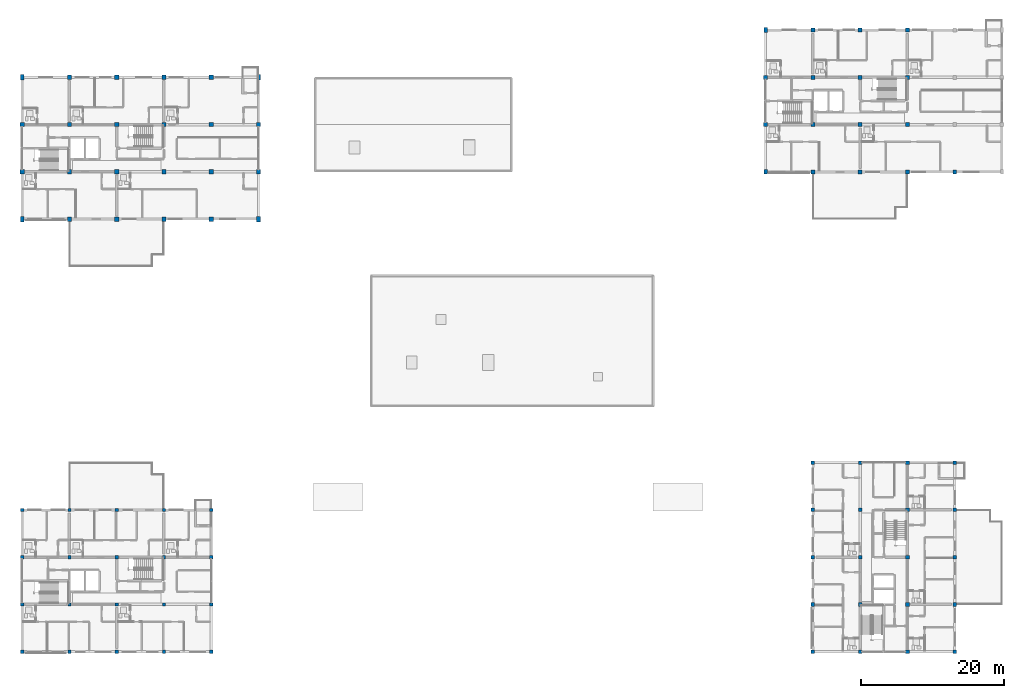
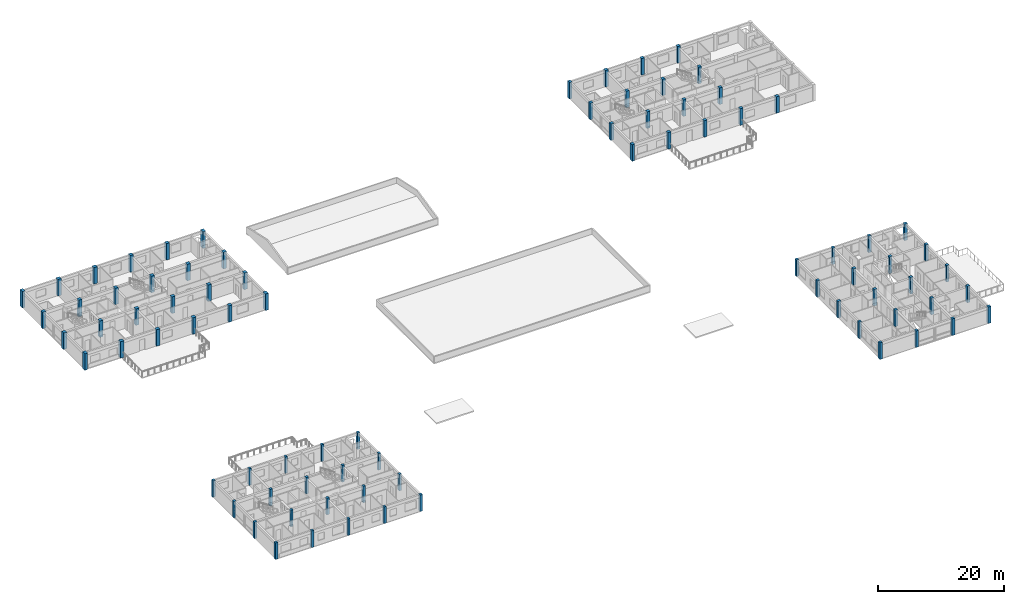
# One storey, part 1 of 51: 81 columns.
"""IFC4 building model written with IfcOpenShell, lengths in metres."""

import ifcopenshell
import ifcopenshell.guid

model = None  # the IFC model being written
_history = None  # IfcOwnerHistory: only IFC2X3 demands one
_inside = {}  # id of a spatial element -> (the spatial element, [elements in it])
_under = {}  # id of a project, library or spatial element -> (it, [spatial elements below it])
_declared = {}  # id of a project -> (the project, [libraries it declares])
_typed = {}  # id of a type object -> (the type object, [elements of that type])
_made_of = {}  # id of a material, layer set ... -> (it, [elements and type objects made of it])


def new_model(schema):
    """Start an empty IFC model of exactly this schema.

    Asked for "IFC4X3", IfcOpenShell would pick the latest addendum, in which some entities
    have other attributes; the version numbers below select the first issue.
    IFC2X3 requires an IfcOwnerHistory on every rooted entity: one is made here for all.
    """
    global model, _history
    if schema == "IFC4X3":
        model = ifcopenshell.file(schema_version=(4, 3, 0, 0))
    else:
        model = ifcopenshell.file(schema=schema)
    _inside.clear()
    _under.clear()
    _declared.clear()
    _typed.clear()
    _made_of.clear()
    _history = None
    if model.schema == "IFC2X3":
        org = make("IfcOrganization", Name="unknown")
        user = make(
            "IfcPersonAndOrganization",
            ThePerson=make("IfcPerson", FamilyName="unknown"),
            TheOrganization=org,
        )
        app = make(
            "IfcApplication",
            ApplicationDeveloper=org,
            Version="unknown",
            ApplicationFullName="unknown",
            ApplicationIdentifier="unknown",
        )
        _history = make(
            "IfcOwnerHistory",
            OwningUser=user,
            OwningApplication=app,
            ChangeAction="ADDED",
            CreationDate=0,
        )
    return model


def make(cls, **values):
    """One entity of the class cls with the attributes given. An attribute that is None is left unset."""
    return model.create_entity(
        cls, **{name: value for name, value in values.items() if value is not None}
    )


def rooted(cls, **values):
    """An entity with a GlobalId (a new one), such as an element, a storey or a relation."""
    return make(cls, GlobalId=ifcopenshell.guid.new(), OwnerHistory=_history, **values)


def si_unit(unit_type, name, prefix=None):
    """IfcSIUnit, for example si_unit("LENGTHUNIT", "METRE", prefix="MILLI")."""
    return make("IfcSIUnit", UnitType=unit_type, Prefix=prefix, Name=name)


def assignment(units):
    """IfcUnitAssignment: the units of a project."""
    return None if units is None else make("IfcUnitAssignment", Units=units)


def point(xyz):
    """IfcCartesianPoint."""
    return None if xyz is None else make("IfcCartesianPoint", Coordinates=xyz)


def direction(xyz):
    """IfcDirection."""
    return None if xyz is None else make("IfcDirection", DirectionRatios=xyz)


def frame(location, z_axis=None, x_axis=None):
    """IfcAxis2Placement3D, a coordinate frame: its origin and axes. An axis left out is left unset."""
    return make(
        "IfcAxis2Placement3D",
        Location=point(location),
        Axis=direction(z_axis),
        RefDirection=direction(x_axis),
    )


def frame_2d(location, x_axis=None):
    """IfcAxis2Placement2D, a coordinate frame in the plane: its origin and x axis."""
    return make(
        "IfcAxis2Placement2D", Location=point(location), RefDirection=direction(x_axis)
    )


def origin():
    """The frame at (0, 0, 0) with its axes left unset."""
    return frame((0.0, 0.0, 0.0))


def origin_2d():
    """The frame at (0, 0) in the plane with its x axis left unset."""
    return frame_2d((0.0, 0.0))


def place(relative_to, where):
    """IfcLocalPlacement: puts the frame where relative to a parent placement (None: the world)."""
    return make(
        "IfcLocalPlacement", PlacementRelTo=relative_to, RelativePlacement=where
    )


def context(
    kind, dimensions, precision=None, world=None, true_north=None, identifier=None
):
    """IfcGeometricRepresentationContext, for example the 3D "Model" context."""
    return make(
        "IfcGeometricRepresentationContext",
        ContextIdentifier=identifier,
        ContextType=kind,
        CoordinateSpaceDimension=dimensions,
        Precision=precision,
        WorldCoordinateSystem=world,
        TrueNorth=true_north,
    )


def subcontext(parent, identifier, kind, view, scale=None):
    """IfcGeometricRepresentationSubContext, for example "Body" below "Model"."""
    return make(
        "IfcGeometricRepresentationSubContext",
        ContextIdentifier=identifier,
        ContextType=kind,
        ParentContext=parent,
        TargetScale=scale,
        TargetView=view,
    )


def project(units=None, contexts=None):
    """IfcProject with its units and contexts."""
    return rooted(
        "IfcProject",
        Name="project",
        RepresentationContexts=contexts,
        UnitsInContext=assignment(units),
    )


def spatial(cls, under=None, at=None, **own):
    """A site, building, storey or space (cls), placed at a placement, below another one or the project."""
    s = rooted(cls, ObjectPlacement=at, **own)
    if under is not None:
        _under.setdefault(under.id(), (under, []))[1].append(s)
    return s


def profile(cls, at=None, kind="AREA", **sizes):
    """A parametric profile (cls). Its sizes go by their IFC names, for example OverallWidth=200.0."""
    return make(cls, ProfileType=kind, Position=at, **sizes)


def rectangle(**sizes):
    """IfcRectangleProfileDef."""
    return profile("IfcRectangleProfileDef", **sizes)


def extrude(swept, where, along, depth):
    """IfcExtrudedAreaSolid: the profile swept, set in the frame where, extruded along a direction by depth."""
    return make(
        "IfcExtrudedAreaSolid",
        SweptArea=swept,
        Position=where,
        ExtrudedDirection=direction(along),
        Depth=depth,
    )


def shape(context_of_items, identifier, shape_type, items):
    """IfcShapeRepresentation: the items that make up one representation, for example the "Body"."""
    return make(
        "IfcShapeRepresentation",
        ContextOfItems=context_of_items,
        RepresentationIdentifier=identifier,
        RepresentationType=shape_type,
        Items=items,
    )


def material(Name=None, Category=None):
    """IfcMaterial."""
    return make("IfcMaterial", Name=Name, Category=Category)


def material_profile(
    of_material, cross_section, Name=None, Category=None, Priority=None
):
    """IfcMaterialProfile: a cross section and its material."""
    return make(
        "IfcMaterialProfile",
        Name=Name,
        Material=of_material,
        Profile=cross_section,
        Priority=Priority,
        Category=Category,
    )


def profile_set(profiles, Name=None, composite=None):
    """IfcMaterialProfileSet."""
    return make(
        "IfcMaterialProfileSet",
        Name=Name,
        MaterialProfiles=profiles,
        CompositeProfile=composite,
    )


def made_of(thing, what):
    """Note that an element or type object is made of a material, layer set ...; save() writes the relation."""
    if what is not None:
        _made_of.setdefault(what.id(), (what, []))[1].append(thing)
    return thing


def type_object(cls, material=None, **own):
    """A type object (cls), such as IfcWallType, which elements share."""
    return made_of(rooted(cls, **own), material)


def element(
    cls,
    number,
    at=None,
    inside=None,
    cuts=None,
    type_object=None,
    material=None,
    context=None,
    identifier="Body",
    shape_type=None,
    held_by="IfcProductDefinitionShape",
    body=None,
    shapes=None,
    **own,
):
    """One element of the class cls, such as IfcWall. Its Tag is "e" and its number.

    at: its placement. inside: the storey or other place that contains it. cuts: it is an
    opening in that element (IfcRelVoidsElement). A single representation is given by context,
    identifier, shape_type and body (its items); several are given by shapes. held_by: the class
    of the entity that holds the representations. save() writes the other relations.
    """
    e = rooted(cls, Tag="e%d" % number, ObjectPlacement=at, **own)
    if body is not None:
        shapes = [shape(context, identifier, shape_type, body)]
    if shapes is not None:
        e.Representation = make(held_by, Representations=shapes)
    if inside is not None:
        _inside.setdefault(inside.id(), (inside, []))[1].append(e)
    if cuts is not None:
        rooted(
            "IfcRelVoidsElement", RelatingBuildingElement=cuts, RelatedOpeningElement=e
        )
    if type_object is not None:
        _typed.setdefault(type_object.id(), (type_object, []))[1].append(e)
    return made_of(e, material)


def aggregate(whole, parts):
    """IfcRelAggregates: a whole, such as a stair, and the parts it consists of."""
    return rooted("IfcRelAggregates", RelatingObject=whole, RelatedObjects=parts)


def save(model, path):
    """Write the relations noted so far, then the file.

    IfcRelAggregates (storeys below a building ...), IfcRelContainedInSpatialStructure (elements
    in a storey), IfcRelDefinesByType, IfcRelAssociatesMaterial and IfcRelDeclares: one each for
    every whole, place, type object, material and project.
    """
    for whole, parts in _under.values():
        aggregate(whole, parts)
    for where, things in _inside.values():
        rooted(
            "IfcRelContainedInSpatialStructure",
            RelatedElements=things,
            RelatingStructure=where,
        )
    for kind, things in _typed.values():
        rooted("IfcRelDefinesByType", RelatedObjects=things, RelatingType=kind)
    for what, things in _made_of.values():
        rooted("IfcRelAssociatesMaterial", RelatedObjects=things, RelatingMaterial=what)
    for by, libraries in _declared.values():
        rooted("IfcRelDeclares", RelatingContext=by, RelatedDefinitions=libraries)
    model.write(path)


model = new_model("IFC4")

# Units and contexts
model_context = context("Model", 3, precision=1e-05, world=origin(), true_north=direction((0.0, 1.0)))
body_context = subcontext(model_context, "Body", "Model", "MODEL_VIEW")
ifc_project = project(units=[si_unit("LENGTHUNIT", "METRE"), si_unit("AREAUNIT", "SQUARE_METRE"), si_unit("VOLUMEUNIT", "CUBIC_METRE"), si_unit("PLANEANGLEUNIT", "RADIAN"), si_unit("MASSUNIT", "GRAM", prefix="KILO")], contexts=[model_context])

# Site, building, storey
site_placement = place(None, origin())
site = spatial("IfcSite", under=ifc_project, at=site_placement, CompositionType="ELEMENT")
building_placement = place(site_placement, origin())
building = spatial("IfcBuilding", under=site, at=building_placement, Name="Kernevlak Ridge Housing Community", CompositionType="ELEMENT")
storey_placement = place(building_placement, frame((0.0, 0.0, 8.39990234375)))
storey = spatial("IfcBuildingStorey", under=building, at=storey_placement, Name="L02", CompositionType="ELEMENT", Elevation=8.39990234375)

# Columns
ifc_material_1 = material(Name="Concrete C40/50", Category="concrete")
ifc_material_profile_1 = material_profile(ifc_material_1, rectangle(XDim=0.60009765625, YDim=0.60009765625, at=origin_2d()), Name="RC 600x600")
ifc_profile_set_1 = profile_set([ifc_material_profile_1], Name="Concrete C40/50")
column_type_1 = type_object("IfcColumnType", Name="C-01", PredefinedType="COLUMN", material=ifc_profile_set_1)
for number, where, z_axis, x_axis, name in (
    (1, (15.60009765625, 82.60009765625, 0.0), (0.0, 0.0, 1.0), (1.0, 0.0, 0.0), "Column C-01 COL-A-L02-00-1"),
    (2, (15.60009765625, 89.199951171875, 0.0), (0.0, 0.0, 1.0), (1.0, 0.0, 0.0), "Column C-01 COL-A-L02-00-2"),
    (3, (22.199951171875, 76.0, 0.0), (0.0, 0.0, 1.0), (1.0, 0.0, 0.0), "Column C-01 COL-A-L02-01-0"),
    (4, (22.199951171875, 82.60009765625, 0.0), (0.0, 0.0, 1.0), (1.0, 0.0, 0.0), "Column C-01 COL-A-L02-01-1"),
    (5, (22.199951171875, 89.199951171875, 0.0), (0.0, 0.0, 1.0), (1.0, 0.0, 0.0), "Column C-01 COL-A-L02-01-2"),
    (6, (22.199951171875, 95.800048828125, 0.0), (0.0, 0.0, 1.0), (1.0, 0.0, 0.0), "Column C-01 COL-A-L02-01-3"),
    (7, (28.800048828125, 76.0, 0.0), (0.0, 0.0, 1.0), (1.0, 0.0, 0.0), "Column C-01 COL-A-L02-02-0"),
    (8, (28.800048828125, 82.60009765625, 0.0), (0.0, 0.0, 1.0), (1.0, 0.0, 0.0), "Column C-01 COL-A-L02-02-1"),
    (9, (28.800048828125, 89.199951171875, 0.0), (0.0, 0.0, 1.0), (1.0, 0.0, 0.0), "Column C-01 COL-A-L02-02-2"),
    (10, (28.800048828125, 95.800048828125, 0.0), (0.0, 0.0, 1.0), (1.0, 0.0, 0.0), "Column C-01 COL-A-L02-02-3"),
    (11, (35.39990234375, 76.0, 0.0), (0.0, 0.0, 1.0), (1.0, 0.0, 0.0), "Column C-01 COL-A-L02-03-0"),
    (12, (35.39990234375, 82.60009765625, 0.0), (0.0, 0.0, 1.0), (1.0, 0.0, 0.0), "Column C-01 COL-A-L02-03-1"),
    (13, (35.39990234375, 89.199951171875, 0.0), (0.0, 0.0, 1.0), (1.0, 0.0, 0.0), "Column C-01 COL-A-L02-03-2"),
    (14, (35.39990234375, 95.800048828125, 0.0), (0.0, 0.0, 1.0), (1.0, 0.0, 0.0), "Column C-01 COL-A-L02-03-3"),
    (15, (42.0, 76.0, 0.0), (0.0, 0.0, 1.0), (1.0, 0.0, 0.0), "Column C-01 COL-A-L02-04-0"),
    (16, (42.0, 82.60009765625, 0.0), (0.0, 0.0, 1.0), (1.0, 0.0, 0.0), "Column C-01 COL-A-L02-04-1"),
    (17, (42.0, 89.199951171875, 0.0), (0.0, 0.0, 1.0), (1.0, 0.0, 0.0), "Column C-01 COL-A-L02-04-2"),
    (18, (42.0, 95.800048828125, 0.0), (0.0, 0.0, 1.0), (1.0, 0.0, 0.0), "Column C-01 COL-A-L02-04-3"),
    (19, (48.60009765625, 82.60009765625, 0.0), (0.0, 0.0, 1.0), (1.0, 0.0, 0.0), "Column C-01 COL-A-L02-05-1"),
    (20, (48.60009765625, 89.199951171875, 0.0), (0.0, 0.0, 1.0), (1.0, 0.0, 0.0), "Column C-01 COL-A-L02-05-2"),
):
    element("IfcColumn", number, at=place(storey_placement, frame(where, z_axis=z_axis, x_axis=x_axis)), inside=storey, type_object=column_type_1, Name=name, PredefinedType="COLUMN", context=body_context, shape_type="SweptSolid", body=[
        extrude(rectangle(XDim=0.60009765625, YDim=0.60009765625, at=origin_2d()), origin(), (0.0, 0.0, 1.0), 3.2001953125),
    ])
ifc_material_profile_2 = material_profile(ifc_material_1, rectangle(XDim=0.550048828125, YDim=0.550048828125, at=origin_2d()), Name="RC 550x550")
ifc_profile_set_2 = profile_set([ifc_material_profile_2], Name="Concrete C40/50")
column_type_2 = type_object("IfcColumnType", Name="C-02", PredefinedType="COLUMN", material=ifc_profile_set_2)
for number, where, z_axis, x_axis, name in (
    (21, (119.39990234375, 89.199951171875, 0.0), (0.0, 0.0, 1.0), (1.0, 0.0, 0.0), "Column C-02 COL-B-L02-00-1"),
    (22, (119.39990234375, 95.800048828125, 0.0), (0.0, 0.0, 1.0), (1.0, 0.0, 0.0), "Column C-02 COL-B-L02-00-2"),
    (23, (126.0, 82.60009765625, 0.0), (0.0, 0.0, 1.0), (1.0, 0.0, 0.0), "Column C-02 COL-B-L02-01-0"),
    (24, (126.0, 89.199951171875, 0.0), (0.0, 0.0, 1.0), (1.0, 0.0, 0.0), "Column C-02 COL-B-L02-01-1"),
    (25, (126.0, 95.800048828125, 0.0), (0.0, 0.0, 1.0), (1.0, 0.0, 0.0), "Column C-02 COL-B-L02-01-2"),
    (26, (126.0, 102.39990234375, 0.0), (0.0, 0.0, 1.0), (1.0, 0.0, 0.0), "Column C-02 COL-B-L02-01-3"),
    (27, (132.60009765625, 82.60009765625, 0.0), (0.0, 0.0, 1.0), (1.0, 0.0, 0.0), "Column C-02 COL-B-L02-02-0"),
    (28, (132.60009765625, 89.199951171875, 0.0), (0.0, 0.0, 1.0), (1.0, 0.0, 0.0), "Column C-02 COL-B-L02-02-1"),
    (29, (132.60009765625, 95.800048828125, 0.0), (0.0, 0.0, 1.0), (1.0, 0.0, 0.0), "Column C-02 COL-B-L02-02-2"),
    (30, (132.60009765625, 102.39990234375, 0.0), (0.0, 0.0, 1.0), (1.0, 0.0, 0.0), "Column C-02 COL-B-L02-02-3"),
    (31, (139.199951171875, 82.60009765625, 0.0), (0.0, 0.0, 1.0), (1.0, 0.0, 0.0), "Column C-02 COL-B-L02-03-0"),
    (32, (139.199951171875, 89.199951171875, 0.0), (0.0, 0.0, 1.0), (1.0, 0.0, 0.0), "Column C-02 COL-B-L02-03-1"),
    (33, (139.199951171875, 95.800048828125, 0.0), (0.0, 0.0, 1.0), (1.0, 0.0, 0.0), "Column C-02 COL-B-L02-03-2"),
    (34, (139.199951171875, 102.39990234375, 0.0), (0.0, 0.0, 1.0), (1.0, 0.0, 0.0), "Column C-02 COL-B-L02-03-3"),
    (35, (145.800048828125, 82.60009765625, 0.0), (0.0, 0.0, 1.0), (1.0, 0.0, 0.0), "Column C-02 COL-B-L02-04-0"),
):
    element("IfcColumn", number, at=place(storey_placement, frame(where, z_axis=z_axis, x_axis=x_axis)), inside=storey, type_object=column_type_2, Name=name, PredefinedType="COLUMN", context=body_context, shape_type="SweptSolid", body=[
        extrude(rectangle(XDim=0.550048828125, YDim=0.550048828125, at=origin_2d()), origin(), (0.0, 0.0, 1.0), 3.2001953125),
    ])
ifc_material_profile_3 = material_profile(ifc_material_1, rectangle(XDim=0.5, YDim=0.5, at=origin_2d()), Name="RC 500x500")
ifc_profile_set_3 = profile_set([ifc_material_profile_3], Name="Concrete C40/50")
column_type_3 = type_object("IfcColumnType", Name="C-03", PredefinedType="COLUMN", material=ifc_profile_set_3)
for number, where, z_axis, x_axis, name in (
    (36, (126.0, 15.60009765625, 0.0), (0.0, 0.0, 1.0), (1.0, 0.0, 0.0), "Column C-03 COL-C-L02-00-0"),
    (37, (132.60009765625, 15.60009765625, 0.0), (0.0, 0.0, 1.0), (1.0, 0.0, 0.0), "Column C-03 COL-C-L02-00-1"),
    (38, (139.199951171875, 15.60009765625, 0.0), (0.0, 0.0, 1.0), (1.0, 0.0, 0.0), "Column C-03 COL-C-L02-00-2"),
    (39, (145.800048828125, 15.60009765625, 0.0), (0.0, 0.0, 1.0), (1.0, 0.0, 0.0), "Column C-03 COL-C-L02-00-3"),
    (40, (126.0, 22.199951171875, 0.0), (0.0, 0.0, 1.0), (1.0, 0.0, 0.0), "Column C-03 COL-C-L02-01-0"),
    (41, (132.60009765625, 22.199951171875, 0.0), (0.0, 0.0, 1.0), (1.0, 0.0, 0.0), "Column C-03 COL-C-L02-01-1"),
    (42, (139.199951171875, 22.199951171875, 0.0), (0.0, 0.0, 1.0), (1.0, 0.0, 0.0), "Column C-03 COL-C-L02-01-2"),
    (43, (145.800048828125, 22.199951171875, 0.0), (0.0, 0.0, 1.0), (1.0, 0.0, 0.0), "Column C-03 COL-C-L02-01-3"),
    (44, (126.0, 28.800048828125, 0.0), (0.0, 0.0, 1.0), (1.0, 0.0, 0.0), "Column C-03 COL-C-L02-02-0"),
    (45, (132.60009765625, 28.800048828125, 0.0), (0.0, 0.0, 1.0), (1.0, 0.0, 0.0), "Column C-03 COL-C-L02-02-1"),
    (46, (139.199951171875, 28.800048828125, 0.0), (0.0, 0.0, 1.0), (1.0, 0.0, 0.0), "Column C-03 COL-C-L02-02-2"),
    (47, (145.800048828125, 28.800048828125, 0.0), (0.0, 0.0, 1.0), (1.0, 0.0, 0.0), "Column C-03 COL-C-L02-02-3"),
    (48, (126.0, 35.39990234375, 0.0), (0.0, 0.0, 1.0), (1.0, 0.0, 0.0), "Column C-03 COL-C-L02-03-0"),
    (49, (132.60009765625, 35.39990234375, 0.0), (0.0, 0.0, 1.0), (1.0, 0.0, 0.0), "Column C-03 COL-C-L02-03-1"),
    (50, (139.199951171875, 35.39990234375, 0.0), (0.0, 0.0, 1.0), (1.0, 0.0, 0.0), "Column C-03 COL-C-L02-03-2"),
    (51, (145.800048828125, 35.39990234375, 0.0), (0.0, 0.0, 1.0), (1.0, 0.0, 0.0), "Column C-03 COL-C-L02-03-3"),
    (52, (126.0, 42.0, 0.0), (0.0, 0.0, 1.0), (1.0, 0.0, 0.0), "Column C-03 COL-C-L02-04-0"),
    (53, (132.60009765625, 42.0, 0.0), (0.0, 0.0, 1.0), (1.0, 0.0, 0.0), "Column C-03 COL-C-L02-04-1"),
    (54, (139.199951171875, 42.0, 0.0), (0.0, 0.0, 1.0), (1.0, 0.0, 0.0), "Column C-03 COL-C-L02-04-2"),
    (55, (145.800048828125, 42.0, 0.0), (0.0, 0.0, 1.0), (1.0, 0.0, 0.0), "Column C-03 COL-C-L02-04-3"),
):
    element("IfcColumn", number, at=place(storey_placement, frame(where, z_axis=z_axis, x_axis=x_axis)), inside=storey, type_object=column_type_3, Name=name, PredefinedType="COLUMN", context=body_context, shape_type="SweptSolid", body=[
        extrude(rectangle(XDim=0.5, YDim=0.5, at=origin_2d()), origin(), (0.0, 0.0, 1.0), 3.2001953125),
    ])
ifc_material_2 = material(Name="Concrete C35/45", Category="concrete")
ifc_material_profile_4 = material_profile(ifc_material_2, rectangle(XDim=0.449951171875, YDim=0.449951171875, at=origin_2d()), Name="RC 450x450")
ifc_profile_set_4 = profile_set([ifc_material_profile_4], Name="Concrete C35/45")
column_type_4 = type_object("IfcColumnType", Name="C-04", PredefinedType="COLUMN", material=ifc_profile_set_4)
for number, where, z_axis, x_axis, name in (
    (56, (15.60009765625, 15.60009765625, 0.0), (0.0, 0.0, 1.0), (1.0, 0.0, 0.0), "Column C-04 COL-D-L02-00-0"),
    (57, (15.60009765625, 22.199951171875, 0.0), (0.0, 0.0, 1.0), (1.0, 0.0, 0.0), "Column C-04 COL-D-L02-00-1"),
    (58, (15.60009765625, 28.800048828125, 0.0), (0.0, 0.0, 1.0), (1.0, 0.0, 0.0), "Column C-04 COL-D-L02-00-2"),
    (59, (15.60009765625, 35.39990234375, 0.0), (0.0, 0.0, 1.0), (1.0, 0.0, 0.0), "Column C-04 COL-D-L02-00-3"),
    (60, (22.199951171875, 15.60009765625, 0.0), (0.0, 0.0, 1.0), (1.0, 0.0, 0.0), "Column C-04 COL-D-L02-01-0"),
    (61, (22.199951171875, 22.199951171875, 0.0), (0.0, 0.0, 1.0), (1.0, 0.0, 0.0), "Column C-04 COL-D-L02-01-1"),
    (62, (22.199951171875, 28.800048828125, 0.0), (0.0, 0.0, 1.0), (1.0, 0.0, 0.0), "Column C-04 COL-D-L02-01-2"),
    (63, (22.199951171875, 35.39990234375, 0.0), (0.0, 0.0, 1.0), (1.0, 0.0, 0.0), "Column C-04 COL-D-L02-01-3"),
    (64, (28.800048828125, 15.60009765625, 0.0), (0.0, 0.0, 1.0), (1.0, 0.0, 0.0), "Column C-04 COL-D-L02-02-0"),
    (65, (28.800048828125, 22.199951171875, 0.0), (0.0, 0.0, 1.0), (1.0, 0.0, 0.0), "Column C-04 COL-D-L02-02-1"),
    (66, (28.800048828125, 28.800048828125, 0.0), (0.0, 0.0, 1.0), (1.0, 0.0, 0.0), "Column C-04 COL-D-L02-02-2"),
    (67, (28.800048828125, 35.39990234375, 0.0), (0.0, 0.0, 1.0), (1.0, 0.0, 0.0), "Column C-04 COL-D-L02-02-3"),
    (68, (35.39990234375, 15.60009765625, 0.0), (0.0, 0.0, 1.0), (1.0, 0.0, 0.0), "Column C-04 COL-D-L02-03-0"),
    (69, (35.39990234375, 22.199951171875, 0.0), (0.0, 0.0, 1.0), (1.0, 0.0, 0.0), "Column C-04 COL-D-L02-03-1"),
    (70, (35.39990234375, 28.800048828125, 0.0), (0.0, 0.0, 1.0), (1.0, 0.0, 0.0), "Column C-04 COL-D-L02-03-2"),
    (71, (35.39990234375, 35.39990234375, 0.0), (0.0, 0.0, 1.0), (1.0, 0.0, 0.0), "Column C-04 COL-D-L02-03-3"),
    (72, (42.0, 15.60009765625, 0.0), (0.0, 0.0, 1.0), (1.0, 0.0, 0.0), "Column C-04 COL-D-L02-04-0"),
    (73, (42.0, 22.199951171875, 0.0), (0.0, 0.0, 1.0), (1.0, 0.0, 0.0), "Column C-04 COL-D-L02-04-1"),
    (74, (42.0, 28.800048828125, 0.0), (0.0, 0.0, 1.0), (1.0, 0.0, 0.0), "Column C-04 COL-D-L02-04-2"),
    (75, (42.0, 35.39990234375, 0.0), (0.0, 0.0, 1.0), (1.0, 0.0, 0.0), "Column C-04 COL-D-L02-04-3"),
):
    element("IfcColumn", number, at=place(storey_placement, frame(where, z_axis=z_axis, x_axis=x_axis)), inside=storey, type_object=column_type_4, Name=name, PredefinedType="COLUMN", context=body_context, shape_type="SweptSolid", body=[
        extrude(rectangle(XDim=0.449951171875, YDim=0.449951171875, at=origin_2d()), origin(), (0.0, 0.0, 1.0), 3.2001953125),
    ])
ifc_material_profile_5 = material_profile(ifc_material_1, rectangle(XDim=0.5, YDim=0.75, at=origin_2d()), Name="RC 500x750")
ifc_profile_set_5 = profile_set([ifc_material_profile_5], Name="Concrete C40/50")
column_type_5 = type_object("IfcColumnType", Name="C-07", PredefinedType="COLUMN", material=ifc_profile_set_5)
for number, where, z_axis, x_axis, name in (
    (76, (15.60009765625, 76.0, 0.0), (0.0, 0.0, 1.0), (1.0, 0.0, 0.0), "Column C-07 COL-A-L02-00-0"),
    (77, (15.60009765625, 95.800048828125, 0.0), (0.0, 0.0, 1.0), (1.0, 0.0, 0.0), "Column C-07 COL-A-L02-00-3"),
    (78, (48.60009765625, 76.0, 0.0), (0.0, 0.0, 1.0), (1.0, 0.0, 0.0), "Column C-07 COL-A-L02-05-0"),
    (79, (48.60009765625, 95.800048828125, 0.0), (0.0, 0.0, 1.0), (1.0, 0.0, 0.0), "Column C-07 COL-A-L02-05-3"),
):
    element("IfcColumn", number, at=place(storey_placement, frame(where, z_axis=z_axis, x_axis=x_axis)), inside=storey, type_object=column_type_5, Name=name, PredefinedType="COLUMN", context=body_context, shape_type="SweptSolid", body=[
        extrude(rectangle(XDim=0.5, YDim=0.75, at=origin_2d()), origin(), (0.0, 0.0, 1.0), 3.2001953125),
    ])
ifc_material_profile_6 = material_profile(ifc_material_1, rectangle(XDim=0.449951171875, YDim=0.64990234375, at=origin_2d()), Name="RC 450x650")
ifc_profile_set_6 = profile_set([ifc_material_profile_6], Name="Concrete C40/50")
column_type_6 = type_object("IfcColumnType", Name="C-08", PredefinedType="COLUMN", material=ifc_profile_set_6)
for number, where, z_axis, x_axis, name in (
    (80, (119.39990234375, 82.60009765625, 0.0), (0.0, 0.0, 1.0), (1.0, 0.0, 0.0), "Column C-08 COL-B-L02-00-0"),
    (81, (119.39990234375, 102.39990234375, 0.0), (0.0, 0.0, 1.0), (1.0, 0.0, 0.0), "Column C-08 COL-B-L02-00-3"),
):
    element("IfcColumn", number, at=place(storey_placement, frame(where, z_axis=z_axis, x_axis=x_axis)), inside=storey, type_object=column_type_6, Name=name, PredefinedType="COLUMN", context=body_context, shape_type="SweptSolid", body=[
        extrude(rectangle(XDim=0.449951171875, YDim=0.64990234375, at=origin_2d()), origin(), (0.0, 0.0, 1.0), 3.2001953125),
    ])

save(model, "model.ifc")
